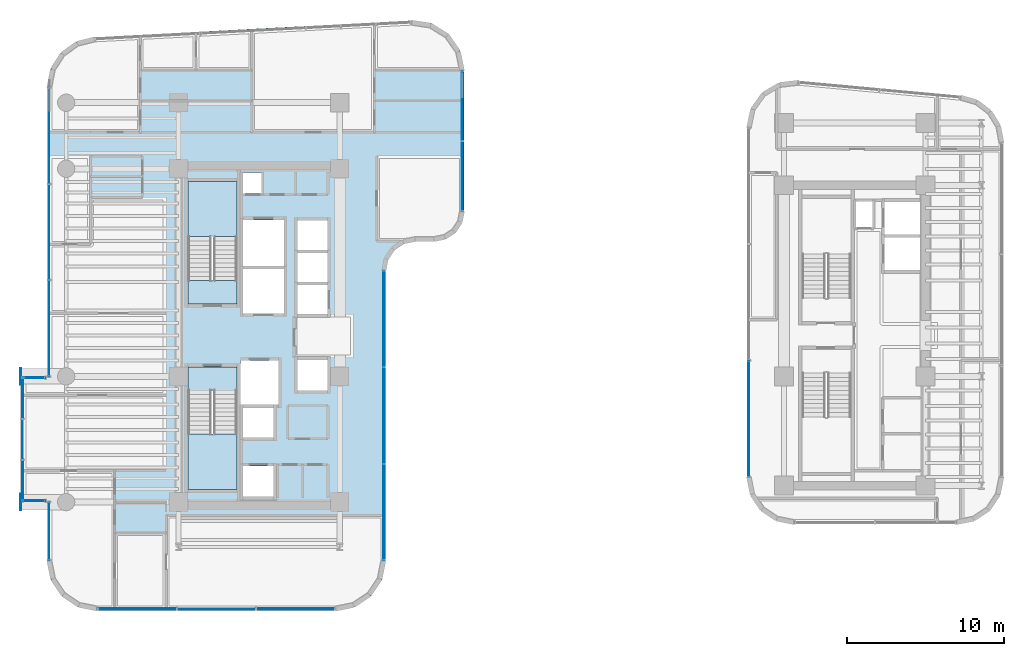
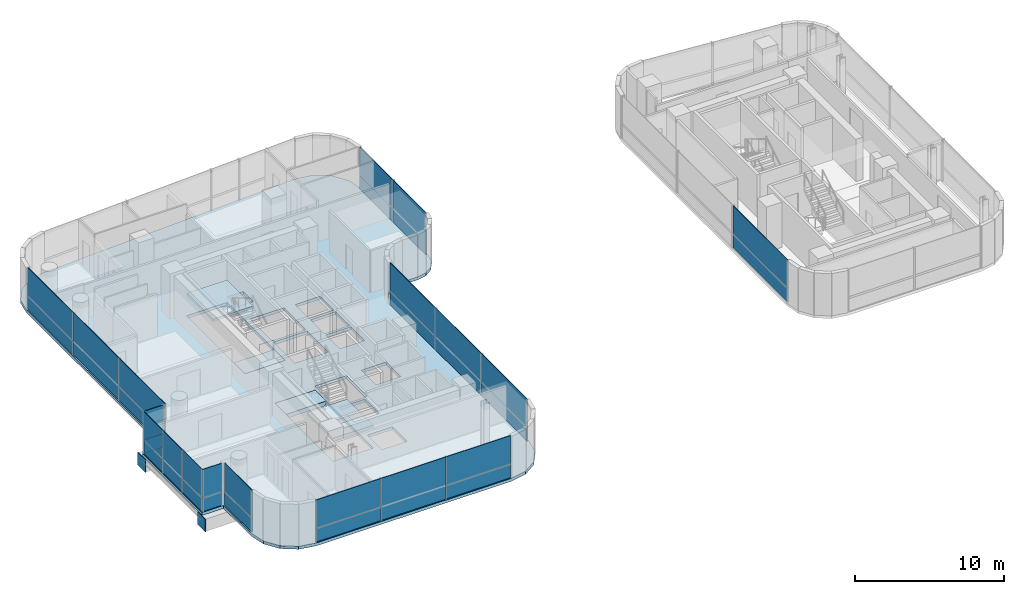
# One storey, part 24 of 34: 33 plates, 5 slabs, 11 elements without a shape of their own.
"""IFC4 building model written with IfcOpenShell, lengths in metres."""

from ifc_helpers import new_model, si_unit, direction, frame, origin, origin_2d, place, context, subcontext, project, spatial, polyline, rectangle, outline, extrude, source, transform, mapped, material, layer, layer_set, type_object, element, aggregate, save


model = new_model("IFC4")

# Units and contexts
model_context = context("Model", 3, precision=1e-05, world=origin(), true_north=direction((0.0, 1.0)))
body_context = subcontext(model_context, "Body", "Model", "MODEL_VIEW")
ifc_project = project(units=[si_unit("LENGTHUNIT", "METRE"), si_unit("AREAUNIT", "SQUARE_METRE"), si_unit("VOLUMEUNIT", "CUBIC_METRE"), si_unit("PLANEANGLEUNIT", "RADIAN"), si_unit("MASSUNIT", "GRAM", prefix="KILO")], contexts=[model_context])

# Site, building, storey
site_placement = place(None, origin())
site = spatial("IfcSite", under=ifc_project, at=site_placement, CompositionType="ELEMENT")
building_placement = place(site_placement, origin())
building = spatial("IfcBuilding", under=site, at=building_placement, Name="Valdorenza Pilgrim Sanctuary Tower", CompositionType="ELEMENT")
storey_placement = place(building_placement, frame((0.0, 0.0, 161.199951171875)))
storey = spatial("IfcBuildingStorey", under=building, at=storey_placement, Name="L41", CompositionType="ELEMENT", Elevation=161.199951171875)

# Slab
ifc_material_1 = material(Name="Concrete C40/50", Category="concrete")
ifc_layer_1 = layer(ifc_material_1, 0.239990234375, Name="Concrete C40/50")
ifc_layer_set_1 = layer_set([ifc_layer_1], Name="Concrete C40/50")
slab_type_1 = type_object("IfcSlabType", Name="SLAB-FLR-220", PredefinedType="FLOOR", material=ifc_layer_set_1)
slab_1_placement = place(storey_placement, frame((0.0, 0.0, -0.239990234375)))
element("IfcSlab", 1, at=slab_1_placement, inside=storey, type_object=slab_type_1, Name="L41 Structural Floor Slab 1", PredefinedType="FLOOR", context=body_context, shape_type="SweptSolid", body=[
    extrude(outline(polyline([(-32.64990234375, -2.60009765625), (-31.0, -2.60009765625), (-31.0, 15.7646484375), (-30.772216796875, 16.9501953125), (-30.12158203125, 17.966796875), (-29.140625, 18.670166015625), (-27.96875, 18.960205078125), (-7.868896484375, 20.02197265625), (-6.593505859375, 19.8291015625), (-5.497802734375, 19.148193359375), (-4.760009765625, 18.090087890625), (-4.5, 16.826416015625), (-4.5, 7.89990234375), (-4.64453125, 7.1728515625), (-5.056396484375, 6.556396484375), (-5.6728515625, 6.14453125), (-6.39990234375, 6.0), (-7.60009765625, 6.0), (-8.3271484375, 5.85546875), (-8.943603515625, 5.443603515625), (-9.35546875, 4.8271484375), (-9.5, 4.10009765625), (-9.5, -14.300048828125), (-9.74365234375, -15.524658203125), (-10.437255859375, -16.562744140625), (-11.475341796875, -17.25634765625), (-12.699951171875, -17.5), (-27.800048828125, -17.5), (-29.024658203125, -17.25634765625), (-30.062744140625, -16.562744140625), (-30.75634765625, -15.524658203125), (-31.0, -14.300048828125), (-31.0, -10.60009765625), (-32.64990234375, -10.60009765625), (-32.64990234375, -2.60009765625)]), holes=[polyline([(-16.60009765625, -10.25), (-16.60009765625, -8.300048828125), (-18.550048828125, -8.300048828125), (-18.550048828125, -10.25), (-16.60009765625, -10.25)]), polyline([(-22.050048828125, -9.800048828125), (-18.93994140625, -9.800048828125), (-18.93994140625, -3.485107421875), (-18.93994140625, -2.0), (-22.050048828125, -2.0), (-22.050048828125, -3.485107421875), (-22.050048828125, -9.800048828125)]), polyline([(-16.60009765625, -6.5), (-16.60009765625, -4.60009765625), (-18.550048828125, -4.60009765625), (-18.550048828125, -6.5), (-16.60009765625, -6.5)]), polyline([(-18.719970703125, -4.39990234375), (-16.300048828125, -4.39990234375), (-16.300048828125, -1.60009765625), (-18.719970703125, -1.60009765625), (-18.719970703125, -4.39990234375)]), polyline([(-13.179931640625, 1.35009765625), (-13.179931640625, 3.199951171875), (-15.10009765625, 3.199951171875), (-15.10009765625, 1.35009765625), (-13.179931640625, 1.35009765625)]), polyline([(-22.050048828125, 2.0), (-18.93994140625, 2.0), (-18.93994140625, 3.485107421875), (-18.93994140625, 9.800048828125), (-22.050048828125, 9.800048828125), (-22.050048828125, 3.485107421875), (-22.050048828125, 2.0)]), polyline([(-15.949951171875, 1.39990234375), (-15.949951171875, 4.22509765625), (-18.550048828125, 4.22509765625), (-18.550048828125, 1.39990234375), (-15.949951171875, 1.39990234375)]), polyline([(-18.550048828125, 4.425048828125), (-15.949951171875, 4.425048828125), (-15.949951171875, 7.35009765625), (-18.550048828125, 7.35009765625), (-18.550048828125, 4.425048828125)]), polyline([(-17.360107421875, 9.030029296875), (-17.360107421875, 10.35009765625), (-18.570068359375, 10.35009765625), (-18.570068359375, 9.030029296875), (-17.360107421875, 9.030029296875)]), polyline([(-13.179931640625, -3.5), (-13.179931640625, -1.550048828125), (-15.10009765625, -1.550048828125), (-15.10009765625, -3.5), (-13.179931640625, -3.5)]), polyline([(-13.179931640625, 3.39990234375), (-13.179931640625, 5.25), (-15.10009765625, 5.25), (-15.10009765625, 3.39990234375), (-13.179931640625, 3.39990234375)]), polyline([(-13.179931640625, 5.449951171875), (-13.179931640625, 7.300048828125), (-15.10009765625, 7.300048828125), (-15.10009765625, 5.449951171875), (-13.179931640625, 5.449951171875)])]), origin(), (0.0, 0.0, 1.0), 0.239990234375),
])

# Stair, slab
stair_type = type_object("IfcStairType", Name="STR-DOG-CORE", PredefinedType="HALF_TURN_STAIR", material=ifc_material_1)
stair_1_placement = place(storey_placement, origin())
stair_1 = element("IfcStair", 2, at=stair_1_placement, inside=storey, type_object=stair_type, Name="L41 ST-A1", PredefinedType="HALF_TURN_STAIR")
ifc_layer_2 = layer(ifc_material_1, 0.199951171875, Name="Concrete C40/50")
ifc_layer_set_2 = layer_set([ifc_layer_2], Name="Concrete C40/50")
slab_type_2 = type_object("IfcSlabType", Name="SLAB-STL-200", PredefinedType="LANDING", material=ifc_layer_set_2)
slab_2_placement = place(storey_placement, frame((0.0, 0.0, 1.650146484375)))
slab_2 = element("IfcSlab", 3, at=slab_2_placement, type_object=slab_type_2, Name="ST-A1 landing 1", PredefinedType="LANDING", context=body_context, shape_type="SweptSolid", body=[
    extrude(outline(polyline([(-18.93994140625, 6.280029296875), (-18.93994140625, 9.800048828125), (-22.050048828125, 9.800048828125), (-22.050048828125, 6.280029296875), (-18.93994140625, 6.280029296875)])), origin(), (0.0, 0.0, 1.0), 0.199951171875),
])
aggregate(stair_1, [slab_2])

stair_2_placement = place(storey_placement, origin())
stair_2 = element("IfcStair", 4, at=stair_2_placement, inside=storey, type_object=stair_type, Name="L41 ST-A2", PredefinedType="HALF_TURN_STAIR")
slab_3_placement = place(storey_placement, frame((0.0, 0.0, 1.650146484375)))
slab_3 = element("IfcSlab", 5, at=slab_3_placement, type_object=slab_type_2, Name="ST-A2 landing 1", PredefinedType="LANDING", context=body_context, shape_type="SweptSolid", body=[
    extrude(outline(polyline([(-22.050048828125, -6.280029296875), (-22.050048828125, -9.800048828125), (-18.93994140625, -9.800048828125), (-18.93994140625, -6.280029296875), (-22.050048828125, -6.280029296875)])), origin(), (0.0, 0.0, 1.0), 0.199951171875),
])
aggregate(stair_2, [slab_3])

# Slabs
ifc_material_2 = material(Name="Concrete C50/60", Category="concrete")
ifc_layer_3 = layer(ifc_material_2, 0.39990234375, Name="Concrete C50/60")
ifc_layer_set_3 = layer_set([ifc_layer_3], Name="Concrete C50/60")
slab_type_3 = type_object("IfcSlabType", Name="SLAB-TRF-400", PredefinedType="FLOOR", material=ifc_layer_set_3)
slab_4_placement = place(storey_placement, frame((0.0, 0.0, -0.35986328125)))
element("IfcSlab", 6, at=slab_4_placement, inside=storey, type_object=slab_type_3, Name="L41 ST-A1 Structural Stair Landing Bearing Slab", PredefinedType="FLOOR", context=body_context, shape_type="SweptSolid", body=[
    extrude(outline(polyline([(-22.050048828125, 2.0), (-18.93994140625, 2.0), (-18.93994140625, 3.485107421875), (-22.050048828125, 3.485107421875), (-22.050048828125, 2.0)])), origin(), (0.0, 0.0, 1.0), 0.35986328125),
])
slab_5_placement = place(storey_placement, frame((0.0, 0.0, -0.35986328125)))
element("IfcSlab", 7, at=slab_5_placement, inside=storey, type_object=slab_type_3, Name="L41 ST-A2 Structural Stair Landing Bearing Slab", PredefinedType="FLOOR", context=body_context, shape_type="SweptSolid", body=[
    extrude(outline(polyline([(-22.050048828125, -3.485107421875), (-18.93994140625, -3.485107421875), (-18.93994140625, -2.0), (-22.050048828125, -2.0), (-22.050048828125, -3.485107421875)])), origin(), (0.0, 0.0, 1.0), 0.35986328125),
])

# Plates
ifc_material_3 = material(Name="Steel ASTM A572 Grade 42", Category="steel")
ifc_layer_4 = layer(ifc_material_3, 0.06005859375, Name="Steel ASTM A572 Grade 42")
ifc_layer_set_4 = layer_set([ifc_layer_4], Name="Steel ASTM A572 Grade 42")
plate_type_1 = type_object("IfcPlateType", Name="PLT-CAP-60", PredefinedType="SHEET", material=ifc_layer_set_4)
shared_shape_1 = source(origin(), body_context, "Body", "SweptSolid", [
    extrude(rectangle(XDim=0.06005859375, YDim=1.0400390625, at=origin_2d()), origin(), (0.0, 0.0, 1.0), 1.0400390625),
])
for number, where, z_axis, x_axis, name in (
    (8, (-32.679931640625, -2.60009765625, -1.260009765625), (0.0, 0.0, 1.0), (1.0, 0.0, 0.0), "L41 BOX-WA-L41 Cantilever Tip End Cap N"),
    (9, (-32.679931640625, -10.60009765625, -1.260009765625), (0.0, 0.0, 1.0), (1.0, 0.0, 0.0), "L41 BOX-WA-L41 Cantilever Tip End Cap S"),
):
    element("IfcPlate", number, at=place(storey_placement, frame(where, z_axis=z_axis, x_axis=x_axis)), inside=storey, type_object=plate_type_1, Name=name, PredefinedType="SHEET", context=body_context, shape_type="MappedRepresentation", body=[
        mapped(shared_shape_1, transform((0.0, 0.0, 0.0), x_axis=(1.0, 0.0, 0.0), y_axis=(0.0, 1.0, 0.0), z_axis=(0.0, 0.0, 1.0), scale=1.0)),
    ])

# Curtain wall, plate
ifc_material_4 = material(Name="Curtain-wall IGU glazing", Category="glass")
curtain_wall_type_1 = type_object("IfcCurtainWallType", Name="CW-SYS-02", PredefinedType="NOTDEFINED", material=ifc_material_4)
curtain_wall_1_placement = place(storey_placement, origin())
curtain_wall_1 = element("IfcCurtainWall", 10, at=curtain_wall_1_placement, inside=storey, type_object=curtain_wall_type_1, Name="L41 Curtain Wall CW-L41-BOX-WA-L41-S", PredefinedType="NOTDEFINED")
ifc_material_5 = material(Name="Honed travertine limestone", Category="masonry")
ifc_layer_5 = layer(ifc_material_5, 0.050048828125, Name="Honed travertine limestone")
ifc_layer_set_5 = layer_set([ifc_layer_5], Name="Honed travertine limestone")
plate_type_2 = type_object("IfcPlateType", Name="CW-SPN-TRV", PredefinedType="USERDEFINED", material=ifc_layer_set_5)
shared_shape_2 = source(origin(), body_context, "Body", "SweptSolid", [
    extrude(rectangle(XDim=1.43994140625, YDim=0.06005859375, at=origin_2d()), origin(), (0.0, 0.0, 1.0), 1.10009765625),
])
plate_1_placement = place(storey_placement, frame((-31.840087890625, -10.52001953125, 0.010009765625), z_axis=(0.0, 0.0, 1.0), x_axis=(-1.0, 0.0, 0.0)))
plate_1 = element("IfcPlate", 11, at=plate_1_placement, type_object=plate_type_2, Name="CW-L41-BOX-WA-L41-S Travertine Spandrel 1", ObjectType="SPANDREL", PredefinedType="USERDEFINED", context=body_context, shape_type="MappedRepresentation", body=[
    mapped(shared_shape_2, transform((0.0, 0.0, 0.0), x_axis=(1.0, 0.0, 0.0), y_axis=(0.0, 1.0, 0.0), z_axis=(0.0, 0.0, 1.0), scale=1.0)),
])

curtain_wall_2_placement = place(storey_placement, origin())
curtain_wall_2 = element("IfcCurtainWall", 12, at=curtain_wall_2_placement, inside=storey, type_object=curtain_wall_type_1, Name="L41 Curtain Wall CW-L41-BOX-WA-L41-N", PredefinedType="NOTDEFINED")
plate_2_placement = place(storey_placement, frame((-31.840087890625, -2.679931640625, 0.010009765625), z_axis=(0.0, 0.0, 1.0), x_axis=(1.0, 0.0, 0.0)))
plate_2 = element("IfcPlate", 13, at=plate_2_placement, type_object=plate_type_2, Name="CW-L41-BOX-WA-L41-N Travertine Spandrel 1", ObjectType="SPANDREL", PredefinedType="USERDEFINED", context=body_context, shape_type="MappedRepresentation", body=[
    mapped(shared_shape_2, transform((0.0, 0.0, 0.0), x_axis=(1.0, 0.0, 0.0), y_axis=(0.0, 1.0, 0.0), z_axis=(0.0, 0.0, 1.0), scale=1.0)),
])

# Plate
ifc_material_6 = material(Name="Ceramic-fritted low-E IGU glazing", Category="glass")
ifc_layer_6 = layer(ifc_material_6, 0.035888671875, Name="Ceramic-fritted low-E IGU glazing")
ifc_layer_set_6 = layer_set([ifc_layer_6], Name="Ceramic-fritted low-E IGU glazing")
plate_type_3 = type_object("IfcPlateType", Name="CW-GLZ-IGU", PredefinedType="USERDEFINED", material=ifc_layer_set_6)
shared_shape_3 = source(origin(), body_context, "Body", "SweptSolid", [
    extrude(rectangle(XDim=1.43994140625, YDim=0.050048828125, at=origin_2d()), origin(), (0.0, 0.0, 1.0), 2.320068359375),
])
plate_3_placement = place(storey_placement, frame((-31.840087890625, -10.52001953125, 1.1298828125), z_axis=(0.0, 0.0, 1.0), x_axis=(-1.0, 0.0, 0.0)))
plate_3 = element("IfcPlate", 14, at=plate_3_placement, type_object=plate_type_3, Name="CW-L41-BOX-WA-L41-S Facade Panel 1", ObjectType="GLAZING", PredefinedType="USERDEFINED", context=body_context, shape_type="MappedRepresentation", body=[
    mapped(shared_shape_3, transform((0.0, 0.0, 0.0), x_axis=(1.0, 0.0, 0.0), y_axis=(0.0, 1.0, 0.0), z_axis=(0.0, 0.0, 1.0), scale=1.0)),
])

aggregate(curtain_wall_1, [plate_1, plate_3])

plate_4_placement = place(storey_placement, frame((-31.840087890625, -2.679931640625, 1.1298828125), z_axis=(0.0, 0.0, 1.0), x_axis=(1.0, 0.0, 0.0)))
plate_4 = element("IfcPlate", 15, at=plate_4_placement, type_object=plate_type_3, Name="CW-L41-BOX-WA-L41-N Facade Panel 1", ObjectType="GLAZING", PredefinedType="USERDEFINED", context=body_context, shape_type="MappedRepresentation", body=[
    mapped(shared_shape_3, transform((0.0, 0.0, 0.0), x_axis=(1.0, 0.0, 0.0), y_axis=(0.0, 1.0, 0.0), z_axis=(0.0, 0.0, 1.0), scale=1.0)),
])

aggregate(curtain_wall_2, [plate_2, plate_4])

# Curtain wall, plates
curtain_wall_3_placement = place(storey_placement, origin())
curtain_wall_3 = element("IfcCurtainWall", 16, at=curtain_wall_3_placement, inside=storey, type_object=curtain_wall_type_1, Name="L41 Curtain Wall CW-L41-BOX-WA-L41-F", PredefinedType="NOTDEFINED")
shared_shape_4 = source(origin(), body_context, "Body", "SweptSolid", [
    extrude(rectangle(XDim=2.59326171875, YDim=0.06005859375, at=origin_2d()), origin(), (0.0, 0.0, 1.0), 1.10009765625),
])
plate_5_placement = place(storey_placement, frame((-32.570068359375, -9.21337890625, 0.010009765625), z_axis=(0.0, 0.0, 1.0), x_axis=(0.0, 1.0, 0.0)))
plate_5 = element("IfcPlate", 17, at=plate_5_placement, type_object=plate_type_2, Name="CW-L41-BOX-WA-L41-F Travertine Spandrel 1", ObjectType="SPANDREL", PredefinedType="USERDEFINED", context=body_context, shape_type="MappedRepresentation", body=[
    mapped(shared_shape_4, transform((0.0, 0.0, 0.0), x_axis=(1.0, 0.0, 0.0), y_axis=(0.0, 1.0, 0.0), z_axis=(0.0, 0.0, 1.0), scale=1.0)),
])
plate_6_placement = place(storey_placement, frame((-32.570068359375, -3.98681640625, 0.010009765625), z_axis=(0.0, 0.0, 1.0), x_axis=(0.0, 1.0, 0.0)))
plate_6 = element("IfcPlate", 18, at=plate_6_placement, type_object=plate_type_2, Name="CW-L41-BOX-WA-L41-F Travertine Spandrel 3", ObjectType="SPANDREL", PredefinedType="USERDEFINED", context=body_context, shape_type="MappedRepresentation", body=[
    mapped(shared_shape_4, transform((0.0, 0.0, 0.0), x_axis=(1.0, 0.0, 0.0), y_axis=(0.0, 1.0, 0.0), z_axis=(0.0, 0.0, 1.0), scale=1.0)),
])
shared_shape_5 = source(origin(), body_context, "Body", "SweptSolid", [
    extrude(rectangle(XDim=2.59326171875, YDim=0.050048828125, at=origin_2d()), origin(), (0.0, 0.0, 1.0), 2.320068359375),
])
plate_7_placement = place(storey_placement, frame((-32.570068359375, -9.21337890625, 1.1298828125), z_axis=(0.0, 0.0, 1.0), x_axis=(0.0, 1.0, 0.0)))
plate_7 = element("IfcPlate", 19, at=plate_7_placement, type_object=plate_type_3, Name="CW-L41-BOX-WA-L41-F Facade Panel 1", ObjectType="GLAZING", PredefinedType="USERDEFINED", context=body_context, shape_type="MappedRepresentation", body=[
    mapped(shared_shape_5, transform((0.0, 0.0, 0.0), x_axis=(1.0, 0.0, 0.0), y_axis=(0.0, 1.0, 0.0), z_axis=(0.0, 0.0, 1.0), scale=1.0)),
])
plate_8_placement = place(storey_placement, frame((-32.570068359375, -3.98681640625, 1.1298828125), z_axis=(0.0, 0.0, 1.0), x_axis=(0.0, 1.0, 0.0)))
plate_8 = element("IfcPlate", 20, at=plate_8_placement, type_object=plate_type_3, Name="CW-L41-BOX-WA-L41-F Facade Panel 3", ObjectType="GLAZING", PredefinedType="USERDEFINED", context=body_context, shape_type="MappedRepresentation", body=[
    mapped(shared_shape_5, transform((0.0, 0.0, 0.0), x_axis=(1.0, 0.0, 0.0), y_axis=(0.0, 1.0, 0.0), z_axis=(0.0, 0.0, 1.0), scale=1.0)),
])
shared_shape_6 = source(origin(), body_context, "Body", "SweptSolid", [
    extrude(rectangle(XDim=2.59326171875, YDim=0.050048828125, at=origin_2d()), origin(), (0.0, 0.0, 1.0), 3.43994140625),
])
plate_9_placement = place(storey_placement, frame((-32.570068359375, -6.60009765625, 0.010009765625), z_axis=(0.0, 0.0, 1.0), x_axis=(0.0, 1.0, 0.0)))
plate_9 = element("IfcPlate", 21, at=plate_9_placement, type_object=plate_type_3, Name="CW-L41-BOX-WA-L41-F Full-Height Facade Panel 2", ObjectType="GLAZING", PredefinedType="USERDEFINED", context=body_context, shape_type="MappedRepresentation", body=[
    mapped(shared_shape_6, transform((0.0, 0.0, 0.0), x_axis=(1.0, 0.0, 0.0), y_axis=(0.0, 1.0, 0.0), z_axis=(0.0, 0.0, 1.0), scale=1.0)),
])
aggregate(curtain_wall_3, [plate_5, plate_7, plate_9, plate_6, plate_8])

curtain_wall_4_placement = place(storey_placement, origin())
curtain_wall_4 = element("IfcCurtainWall", 22, at=curtain_wall_4_placement, inside=storey, type_object=curtain_wall_type_1, Name="L41 Curtain Wall CW-L41-1-26", PredefinedType="NOTDEFINED")
shared_shape_7 = source(origin(), body_context, "Body", "SweptSolid", [
    extrude(rectangle(XDim=5.006103515625, YDim=0.06005859375, at=origin_2d()), origin(), (0.0, 0.0, 1.0), 1.10009765625),
])
plate_10_placement = place(storey_placement, frame((-15.223876953125, -17.389892578125, 0.010009765625), z_axis=(0.0, 0.0, 1.0), x_axis=(-1.0, 0.0, 0.0)))
plate_10 = element("IfcPlate", 23, at=plate_10_placement, type_object=plate_type_2, Name="CW-L41-1-26 Travertine Spandrel 1", ObjectType="SPANDREL", PredefinedType="USERDEFINED", context=body_context, shape_type="MappedRepresentation", body=[
    mapped(shared_shape_7, transform((0.0, 0.0, 0.0), x_axis=(1.0, 0.0, 0.0), y_axis=(0.0, 1.0, 0.0), z_axis=(0.0, 0.0, 1.0), scale=1.0)),
])
plate_11_placement = place(storey_placement, frame((-25.276123046875, -17.389892578125, 0.010009765625), z_axis=(0.0, 0.0, 1.0), x_axis=(-1.0, 0.0, 0.0)))
plate_11 = element("IfcPlate", 24, at=plate_11_placement, type_object=plate_type_2, Name="CW-L41-1-26 Travertine Spandrel 3", ObjectType="SPANDREL", PredefinedType="USERDEFINED", context=body_context, shape_type="MappedRepresentation", body=[
    mapped(shared_shape_7, transform((0.0, 0.0, 0.0), x_axis=(1.0, 0.0, 0.0), y_axis=(0.0, 1.0, 0.0), z_axis=(0.0, 0.0, 1.0), scale=1.0)),
])
shared_shape_8 = source(origin(), body_context, "Body", "SweptSolid", [
    extrude(rectangle(XDim=5.006103515625, YDim=0.050048828125, at=origin_2d()), origin(), (0.0, 0.0, 1.0), 2.320068359375),
])
plate_12_placement = place(storey_placement, frame((-15.223876953125, -17.389892578125, 1.1298828125), z_axis=(0.0, 0.0, 1.0), x_axis=(-1.0, 0.0, 0.0)))
plate_12 = element("IfcPlate", 25, at=plate_12_placement, type_object=plate_type_3, Name="CW-L41-1-26 Facade Panel 1", ObjectType="GLAZING", PredefinedType="USERDEFINED", context=body_context, shape_type="MappedRepresentation", body=[
    mapped(shared_shape_8, transform((0.0, 0.0, 0.0), x_axis=(1.0, 0.0, 0.0), y_axis=(0.0, 1.0, 0.0), z_axis=(0.0, 0.0, 1.0), scale=1.0)),
])
plate_13_placement = place(storey_placement, frame((-25.276123046875, -17.389892578125, 1.1298828125), z_axis=(0.0, 0.0, 1.0), x_axis=(-1.0, 0.0, 0.0)))
plate_13 = element("IfcPlate", 26, at=plate_13_placement, type_object=plate_type_3, Name="CW-L41-1-26 Facade Panel 3", ObjectType="GLAZING", PredefinedType="USERDEFINED", context=body_context, shape_type="MappedRepresentation", body=[
    mapped(shared_shape_8, transform((0.0, 0.0, 0.0), x_axis=(1.0, 0.0, 0.0), y_axis=(0.0, 1.0, 0.0), z_axis=(0.0, 0.0, 1.0), scale=1.0)),
])
shared_shape_9 = source(origin(), body_context, "Body", "SweptSolid", [
    extrude(rectangle(XDim=5.006103515625, YDim=0.050048828125, at=origin_2d()), origin(), (0.0, 0.0, 1.0), 3.43994140625),
])
plate_14_placement = place(storey_placement, frame((-20.25, -17.389892578125, 0.010009765625), z_axis=(0.0, 0.0, 1.0), x_axis=(-1.0, 0.0, 0.0)))
plate_14 = element("IfcPlate", 27, at=plate_14_placement, type_object=plate_type_3, Name="CW-L41-1-26 Full-Height Facade Panel 2", ObjectType="GLAZING", PredefinedType="USERDEFINED", context=body_context, shape_type="MappedRepresentation", body=[
    mapped(shared_shape_9, transform((0.0, 0.0, 0.0), x_axis=(1.0, 0.0, 0.0), y_axis=(0.0, 1.0, 0.0), z_axis=(0.0, 0.0, 1.0), scale=1.0)),
])
aggregate(curtain_wall_4, [plate_10, plate_12, plate_14, plate_11, plate_13])

curtain_wall_5_placement = place(storey_placement, origin())
curtain_wall_5 = element("IfcCurtainWall", 28, at=curtain_wall_5_placement, inside=storey, type_object=curtain_wall_type_1, Name="L41 Curtain Wall CW-L41-1-1S1", PredefinedType="NOTDEFINED")
shared_shape_10 = source(origin(), body_context, "Body", "SweptSolid", [
    extrude(rectangle(XDim=3.669189453125, YDim=0.06005859375, at=origin_2d()), origin(), (0.0, 0.0, 1.0), 1.10009765625),
])
plate_15_placement = place(storey_placement, frame((-30.889892578125, -12.444580078125, 0.010009765625), z_axis=(0.0, 0.0, 1.0), x_axis=(0.0, 1.0, 0.0)))
plate_15 = element("IfcPlate", 29, at=plate_15_placement, type_object=plate_type_2, Name="CW-L41-1-1S1 Travertine Spandrel 1", ObjectType="SPANDREL", PredefinedType="USERDEFINED", context=body_context, shape_type="MappedRepresentation", body=[
    mapped(shared_shape_10, transform((0.0, 0.0, 0.0), x_axis=(1.0, 0.0, 0.0), y_axis=(0.0, 1.0, 0.0), z_axis=(0.0, 0.0, 1.0), scale=1.0)),
])
shared_shape_11 = source(origin(), body_context, "Body", "SweptSolid", [
    extrude(rectangle(XDim=3.669189453125, YDim=0.050048828125, at=origin_2d()), origin(), (0.0, 0.0, 1.0), 2.320068359375),
])
plate_16_placement = place(storey_placement, frame((-30.889892578125, -12.444580078125, 1.1298828125), z_axis=(0.0, 0.0, 1.0), x_axis=(0.0, 1.0, 0.0)))
plate_16 = element("IfcPlate", 30, at=plate_16_placement, type_object=plate_type_3, Name="CW-L41-1-1S1 Facade Panel 1", ObjectType="GLAZING", PredefinedType="USERDEFINED", context=body_context, shape_type="MappedRepresentation", body=[
    mapped(shared_shape_11, transform((0.0, 0.0, 0.0), x_axis=(1.0, 0.0, 0.0), y_axis=(0.0, 1.0, 0.0), z_axis=(0.0, 0.0, 1.0), scale=1.0)),
])
aggregate(curtain_wall_5, [plate_15, plate_16])

curtain_wall_6_placement = place(storey_placement, origin())
curtain_wall_6 = element("IfcCurtainWall", 31, at=curtain_wall_6_placement, inside=storey, type_object=curtain_wall_type_1, Name="L41 Curtain Wall CW-L41-1-11", PredefinedType="NOTDEFINED")
shared_shape_12 = source(origin(), body_context, "Body", "SweptSolid", [
    extrude(rectangle(XDim=4.432373046875, YDim=0.06005859375, at=origin_2d()), origin(), (0.0, 0.0, 1.0), 1.10009765625),
])
plate_17_placement = place(storey_placement, frame((-4.610107421875, 14.589111328125, 0.010009765625), z_axis=(0.0, 0.0, 1.0), x_axis=(0.0, -1.0, 0.0)))
plate_17 = element("IfcPlate", 32, at=plate_17_placement, type_object=plate_type_2, Name="CW-L41-1-11 Travertine Spandrel 1", ObjectType="SPANDREL", PredefinedType="USERDEFINED", context=body_context, shape_type="MappedRepresentation", body=[
    mapped(shared_shape_12, transform((0.0, 0.0, 0.0), x_axis=(1.0, 0.0, 0.0), y_axis=(0.0, 1.0, 0.0), z_axis=(0.0, 0.0, 1.0), scale=1.0)),
])
shared_shape_13 = source(origin(), body_context, "Body", "SweptSolid", [
    extrude(rectangle(XDim=4.432373046875, YDim=0.050048828125, at=origin_2d()), origin(), (0.0, 0.0, 1.0), 2.320068359375),
])
plate_18_placement = place(storey_placement, frame((-4.610107421875, 14.589111328125, 1.1298828125), z_axis=(0.0, 0.0, 1.0), x_axis=(0.0, -1.0, 0.0)))
plate_18 = element("IfcPlate", 33, at=plate_18_placement, type_object=plate_type_3, Name="CW-L41-1-11 Facade Panel 1", ObjectType="GLAZING", PredefinedType="USERDEFINED", context=body_context, shape_type="MappedRepresentation", body=[
    mapped(shared_shape_13, transform((0.0, 0.0, 0.0), x_axis=(1.0, 0.0, 0.0), y_axis=(0.0, 1.0, 0.0), z_axis=(0.0, 0.0, 1.0), scale=1.0)),
])
shared_shape_14 = source(origin(), body_context, "Body", "SweptSolid", [
    extrude(rectangle(XDim=4.432373046875, YDim=0.050048828125, at=origin_2d()), origin(), (0.0, 0.0, 1.0), 3.43994140625),
])
plate_19_placement = place(storey_placement, frame((-4.610107421875, 10.136962890625, 0.010009765625), z_axis=(0.0, 0.0, 1.0), x_axis=(0.0, -1.0, 0.0)))
plate_19 = element("IfcPlate", 34, at=plate_19_placement, type_object=plate_type_3, Name="CW-L41-1-11 Full-Height Facade Panel 2", ObjectType="GLAZING", PredefinedType="USERDEFINED", context=body_context, shape_type="MappedRepresentation", body=[
    mapped(shared_shape_14, transform((0.0, 0.0, 0.0), x_axis=(1.0, 0.0, 0.0), y_axis=(0.0, 1.0, 0.0), z_axis=(0.0, 0.0, 1.0), scale=1.0)),
])
aggregate(curtain_wall_6, [plate_17, plate_18, plate_19])

curtain_wall_7_placement = place(storey_placement, origin())
curtain_wall_7 = element("IfcCurtainWall", 35, at=curtain_wall_7_placement, inside=storey, type_object=curtain_wall_type_1, Name="L41 Curtain Wall CW-L41-1-21", PredefinedType="NOTDEFINED")
shared_shape_15 = source(origin(), body_context, "Body", "SweptSolid", [
    extrude(rectangle(XDim=6.11328125, YDim=0.06005859375, at=origin_2d()), origin(), (0.0, 0.0, 1.0), 1.10009765625),
])
plate_20_placement = place(storey_placement, frame((-9.610107421875, 1.044189453125, 0.010009765625), z_axis=(0.0, 0.0, 1.0), x_axis=(0.0, -1.0, 0.0)))
plate_20 = element("IfcPlate", 36, at=plate_20_placement, type_object=plate_type_2, Name="CW-L41-1-21 Travertine Spandrel 1", ObjectType="SPANDREL", PredefinedType="USERDEFINED", context=body_context, shape_type="MappedRepresentation", body=[
    mapped(shared_shape_15, transform((0.0, 0.0, 0.0), x_axis=(1.0, 0.0, 0.0), y_axis=(0.0, 1.0, 0.0), z_axis=(0.0, 0.0, 1.0), scale=1.0)),
])
plate_21_placement = place(storey_placement, frame((-9.610107421875, -11.222412109375, 0.010009765625), z_axis=(0.0, 0.0, 1.0), x_axis=(0.0, -1.0, 0.0)))
plate_21 = element("IfcPlate", 37, at=plate_21_placement, type_object=plate_type_2, Name="CW-L41-1-21 Travertine Spandrel 3", ObjectType="SPANDREL", PredefinedType="USERDEFINED", context=body_context, shape_type="MappedRepresentation", body=[
    mapped(shared_shape_15, transform((0.0, 0.0, 0.0), x_axis=(1.0, 0.0, 0.0), y_axis=(0.0, 1.0, 0.0), z_axis=(0.0, 0.0, 1.0), scale=1.0)),
])
shared_shape_16 = source(origin(), body_context, "Body", "SweptSolid", [
    extrude(rectangle(XDim=6.11328125, YDim=0.050048828125, at=origin_2d()), origin(), (0.0, 0.0, 1.0), 2.320068359375),
])
plate_22_placement = place(storey_placement, frame((-9.610107421875, 1.044189453125, 1.1298828125), z_axis=(0.0, 0.0, 1.0), x_axis=(0.0, -1.0, 0.0)))
plate_22 = element("IfcPlate", 38, at=plate_22_placement, type_object=plate_type_3, Name="CW-L41-1-21 Facade Panel 1", ObjectType="GLAZING", PredefinedType="USERDEFINED", context=body_context, shape_type="MappedRepresentation", body=[
    mapped(shared_shape_16, transform((0.0, 0.0, 0.0), x_axis=(1.0, 0.0, 0.0), y_axis=(0.0, 1.0, 0.0), z_axis=(0.0, 0.0, 1.0), scale=1.0)),
])
plate_23_placement = place(storey_placement, frame((-9.610107421875, -11.222412109375, 1.1298828125), z_axis=(0.0, 0.0, 1.0), x_axis=(0.0, -1.0, 0.0)))
plate_23 = element("IfcPlate", 39, at=plate_23_placement, type_object=plate_type_3, Name="CW-L41-1-21 Facade Panel 3", ObjectType="GLAZING", PredefinedType="USERDEFINED", context=body_context, shape_type="MappedRepresentation", body=[
    mapped(shared_shape_16, transform((0.0, 0.0, 0.0), x_axis=(1.0, 0.0, 0.0), y_axis=(0.0, 1.0, 0.0), z_axis=(0.0, 0.0, 1.0), scale=1.0)),
])
shared_shape_17 = source(origin(), body_context, "Body", "SweptSolid", [
    extrude(rectangle(XDim=6.11328125, YDim=0.050048828125, at=origin_2d()), origin(), (0.0, 0.0, 1.0), 3.43994140625),
])
plate_24_placement = place(storey_placement, frame((-9.610107421875, -5.089111328125, 0.010009765625), z_axis=(0.0, 0.0, 1.0), x_axis=(0.0, -1.0, 0.0)))
plate_24 = element("IfcPlate", 40, at=plate_24_placement, type_object=plate_type_3, Name="CW-L41-1-21 Full-Height Facade Panel 2", ObjectType="GLAZING", PredefinedType="USERDEFINED", context=body_context, shape_type="MappedRepresentation", body=[
    mapped(shared_shape_17, transform((0.0, 0.0, 0.0), x_axis=(1.0, 0.0, 0.0), y_axis=(0.0, 1.0, 0.0), z_axis=(0.0, 0.0, 1.0), scale=1.0)),
])
aggregate(curtain_wall_7, [plate_20, plate_22, plate_24, plate_21, plate_23])

curtain_wall_type_2 = type_object("IfcCurtainWallType", Name="CW-SYS-03", PredefinedType="NOTDEFINED", material=ifc_material_4)
curtain_wall_8_placement = place(storey_placement, origin())
curtain_wall_8 = element("IfcCurtainWall", 41, at=curtain_wall_8_placement, inside=storey, type_object=curtain_wall_type_2, Name="L41 Curtain Wall CW-L41-2-1", PredefinedType="NOTDEFINED")
shared_shape_18 = source(origin(), body_context, "Body", "SweptSolid", [
    extrude(rectangle(XDim=7.376220703125, YDim=0.06005859375, at=origin_2d()), origin(), (0.0, 0.0, 1.0), 1.10009765625),
])
plate_25_placement = place(storey_placement, frame((13.610107421875, -5.291015625, 0.010009765625), z_axis=(0.0, 0.0, 1.0), x_axis=(0.0, 1.0, 0.0)))
plate_25 = element("IfcPlate", 42, at=plate_25_placement, type_object=plate_type_2, Name="CW-L41-2-1 Travertine Spandrel 1", ObjectType="SPANDREL", PredefinedType="USERDEFINED", context=body_context, shape_type="MappedRepresentation", body=[
    mapped(shared_shape_18, transform((0.0, 0.0, 0.0), x_axis=(1.0, 0.0, 0.0), y_axis=(0.0, 1.0, 0.0), z_axis=(0.0, 0.0, 1.0), scale=1.0)),
])
shared_shape_19 = source(origin(), body_context, "Body", "SweptSolid", [
    extrude(rectangle(XDim=7.376220703125, YDim=0.050048828125, at=origin_2d()), origin(), (0.0, 0.0, 1.0), 2.320068359375),
])
plate_26_placement = place(storey_placement, frame((13.610107421875, -5.291015625, 1.1298828125), z_axis=(0.0, 0.0, 1.0), x_axis=(0.0, 1.0, 0.0)))
plate_26 = element("IfcPlate", 43, at=plate_26_placement, type_object=plate_type_3, Name="CW-L41-2-1 Facade Panel 1", ObjectType="GLAZING", PredefinedType="USERDEFINED", context=body_context, shape_type="MappedRepresentation", body=[
    mapped(shared_shape_19, transform((0.0, 0.0, 0.0), x_axis=(1.0, 0.0, 0.0), y_axis=(0.0, 1.0, 0.0), z_axis=(0.0, 0.0, 1.0), scale=1.0)),
])
aggregate(curtain_wall_8, [plate_25, plate_26])

curtain_wall_9_placement = place(storey_placement, origin())
curtain_wall_9 = element("IfcCurtainWall", 44, at=curtain_wall_9_placement, inside=storey, type_object=curtain_wall_type_1, Name="L41 Curtain Wall CW-L41-1-1S2", PredefinedType="NOTDEFINED")
shared_shape_20 = source(origin(), body_context, "Body", "SweptSolid", [
    extrude(rectangle(XDim=6.097900390625, YDim=0.06005859375, at=origin_2d()), origin(), (0.0, 0.0, 1.0), 1.10009765625),
])
plate_27_placement = place(storey_placement, frame((-30.889892578125, 0.458984375, 0.010009765625), z_axis=(0.0, 0.0, 1.0), x_axis=(0.0, 1.0, 0.0)))
plate_27 = element("IfcPlate", 45, at=plate_27_placement, type_object=plate_type_2, Name="CW-L41-1-1S2 Travertine Spandrel 1", ObjectType="SPANDREL", PredefinedType="USERDEFINED", context=body_context, shape_type="MappedRepresentation", body=[
    mapped(shared_shape_20, transform((0.0, 0.0, 0.0), x_axis=(1.0, 0.0, 0.0), y_axis=(0.0, 1.0, 0.0), z_axis=(0.0, 0.0, 1.0), scale=1.0)),
])
plate_28_placement = place(storey_placement, frame((-30.889892578125, 12.695068359375, 0.010009765625), z_axis=(0.0, 0.0, 1.0), x_axis=(0.0, 1.0, 0.0)))
plate_28 = element("IfcPlate", 46, at=plate_28_placement, type_object=plate_type_2, Name="CW-L41-1-1S2 Travertine Spandrel 3", ObjectType="SPANDREL", PredefinedType="USERDEFINED", context=body_context, shape_type="MappedRepresentation", body=[
    mapped(shared_shape_20, transform((0.0, 0.0, 0.0), x_axis=(1.0, 0.0, 0.0), y_axis=(0.0, 1.0, 0.0), z_axis=(0.0, 0.0, 1.0), scale=1.0)),
])
shared_shape_21 = source(origin(), body_context, "Body", "SweptSolid", [
    extrude(rectangle(XDim=6.097900390625, YDim=0.050048828125, at=origin_2d()), origin(), (0.0, 0.0, 1.0), 2.320068359375),
])
plate_29_placement = place(storey_placement, frame((-30.889892578125, 0.458984375, 1.1298828125), z_axis=(0.0, 0.0, 1.0), x_axis=(0.0, 1.0, 0.0)))
plate_29 = element("IfcPlate", 47, at=plate_29_placement, type_object=plate_type_3, Name="CW-L41-1-1S2 Facade Panel 1", ObjectType="GLAZING", PredefinedType="USERDEFINED", context=body_context, shape_type="MappedRepresentation", body=[
    mapped(shared_shape_21, transform((0.0, 0.0, 0.0), x_axis=(1.0, 0.0, 0.0), y_axis=(0.0, 1.0, 0.0), z_axis=(0.0, 0.0, 1.0), scale=1.0)),
])
plate_30_placement = place(storey_placement, frame((-30.889892578125, 12.695068359375, 1.1298828125), z_axis=(0.0, 0.0, 1.0), x_axis=(0.0, 1.0, 0.0)))
plate_30 = element("IfcPlate", 48, at=plate_30_placement, type_object=plate_type_3, Name="CW-L41-1-1S2 Facade Panel 3", ObjectType="GLAZING", PredefinedType="USERDEFINED", context=body_context, shape_type="MappedRepresentation", body=[
    mapped(shared_shape_21, transform((0.0, 0.0, 0.0), x_axis=(1.0, 0.0, 0.0), y_axis=(0.0, 1.0, 0.0), z_axis=(0.0, 0.0, 1.0), scale=1.0)),
])
shared_shape_22 = source(origin(), body_context, "Body", "SweptSolid", [
    extrude(rectangle(XDim=6.097900390625, YDim=0.050048828125, at=origin_2d()), origin(), (0.0, 0.0, 1.0), 3.43994140625),
])
plate_31_placement = place(storey_placement, frame((-30.889892578125, 6.576904296875, 0.010009765625), z_axis=(0.0, 0.0, 1.0), x_axis=(0.0, 1.0, 0.0)))
plate_31 = element("IfcPlate", 49, at=plate_31_placement, type_object=plate_type_3, Name="CW-L41-1-1S2 Full-Height Facade Panel 2", ObjectType="GLAZING", PredefinedType="USERDEFINED", context=body_context, shape_type="MappedRepresentation", body=[
    mapped(shared_shape_22, transform((0.0, 0.0, 0.0), x_axis=(1.0, 0.0, 0.0), y_axis=(0.0, 1.0, 0.0), z_axis=(0.0, 0.0, 1.0), scale=1.0)),
])
aggregate(curtain_wall_9, [plate_27, plate_29, plate_31, plate_28, plate_30])

save(model, "model.ifc")
